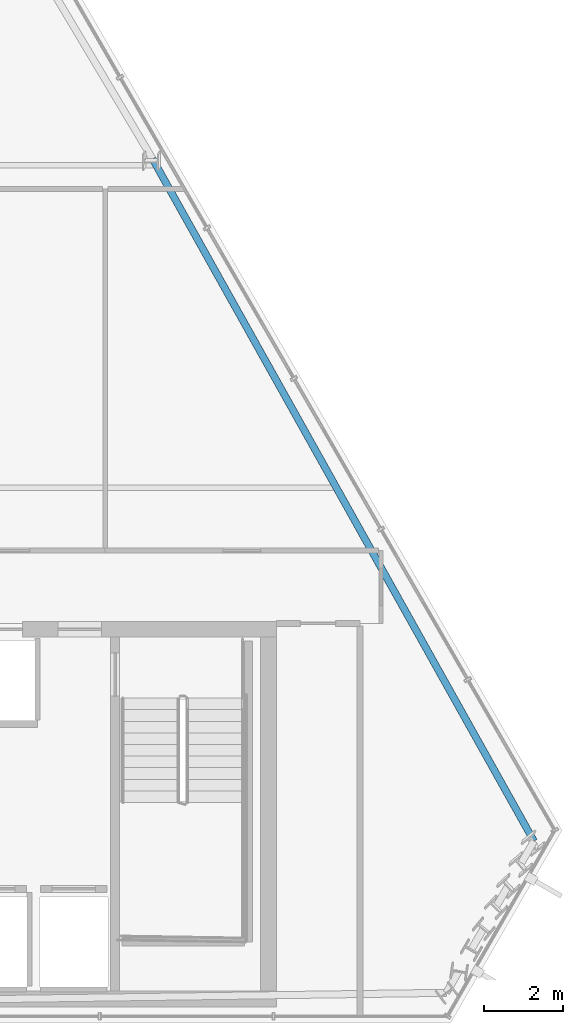
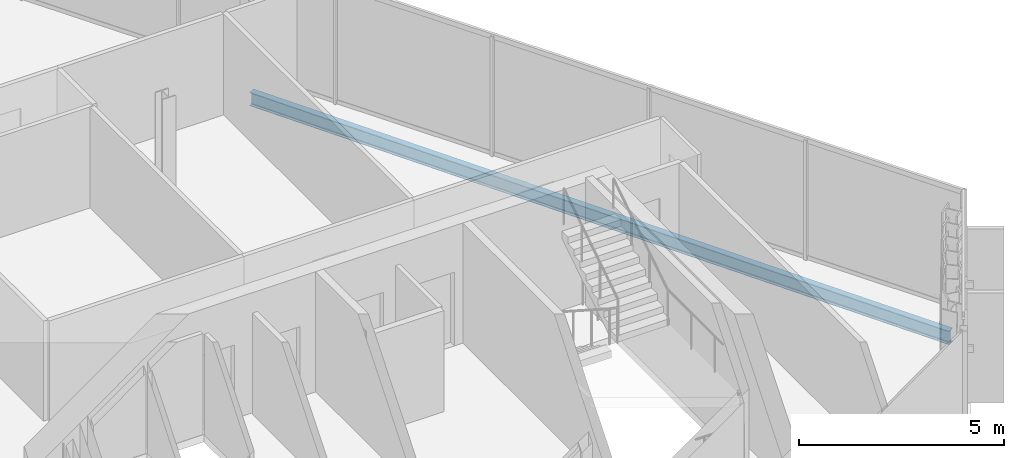
# One storey, part 23 of 34: 1 beam.
"""IFC4 building model written with IfcOpenShell, lengths in metres."""

import ifcopenshell
import ifcopenshell.guid

model = None  # the IFC model being written
_history = None  # IfcOwnerHistory: only IFC2X3 demands one
_inside = {}  # id of a spatial element -> (the spatial element, [elements in it])
_under = {}  # id of a project, library or spatial element -> (it, [spatial elements below it])
_declared = {}  # id of a project -> (the project, [libraries it declares])
_typed = {}  # id of a type object -> (the type object, [elements of that type])
_made_of = {}  # id of a material, layer set ... -> (it, [elements and type objects made of it])


def new_model(schema):
    """Start an empty IFC model of exactly this schema.

    Asked for "IFC4X3", IfcOpenShell would pick the latest addendum, in which some entities
    have other attributes; the version numbers below select the first issue.
    IFC2X3 requires an IfcOwnerHistory on every rooted entity: one is made here for all.
    """
    global model, _history
    if schema == "IFC4X3":
        model = ifcopenshell.file(schema_version=(4, 3, 0, 0))
    else:
        model = ifcopenshell.file(schema=schema)
    _inside.clear()
    _under.clear()
    _declared.clear()
    _typed.clear()
    _made_of.clear()
    _history = None
    if model.schema == "IFC2X3":
        org = make("IfcOrganization", Name="unknown")
        user = make(
            "IfcPersonAndOrganization",
            ThePerson=make("IfcPerson", FamilyName="unknown"),
            TheOrganization=org,
        )
        app = make(
            "IfcApplication",
            ApplicationDeveloper=org,
            Version="unknown",
            ApplicationFullName="unknown",
            ApplicationIdentifier="unknown",
        )
        _history = make(
            "IfcOwnerHistory",
            OwningUser=user,
            OwningApplication=app,
            ChangeAction="ADDED",
            CreationDate=0,
        )
    return model


def make(cls, **values):
    """One entity of the class cls with the attributes given. An attribute that is None is left unset."""
    return model.create_entity(
        cls, **{name: value for name, value in values.items() if value is not None}
    )


def rooted(cls, **values):
    """An entity with a GlobalId (a new one), such as an element, a storey or a relation."""
    return make(cls, GlobalId=ifcopenshell.guid.new(), OwnerHistory=_history, **values)


def si_unit(unit_type, name, prefix=None):
    """IfcSIUnit, for example si_unit("LENGTHUNIT", "METRE", prefix="MILLI")."""
    return make("IfcSIUnit", UnitType=unit_type, Prefix=prefix, Name=name)


def assignment(units):
    """IfcUnitAssignment: the units of a project."""
    return None if units is None else make("IfcUnitAssignment", Units=units)


def point(xyz):
    """IfcCartesianPoint."""
    return None if xyz is None else make("IfcCartesianPoint", Coordinates=xyz)


def direction(xyz):
    """IfcDirection."""
    return None if xyz is None else make("IfcDirection", DirectionRatios=xyz)


def frame(location, z_axis=None, x_axis=None):
    """IfcAxis2Placement3D, a coordinate frame: its origin and axes. An axis left out is left unset."""
    return make(
        "IfcAxis2Placement3D",
        Location=point(location),
        Axis=direction(z_axis),
        RefDirection=direction(x_axis),
    )


def frame_2d(location, x_axis=None):
    """IfcAxis2Placement2D, a coordinate frame in the plane: its origin and x axis."""
    return make(
        "IfcAxis2Placement2D", Location=point(location), RefDirection=direction(x_axis)
    )


def origin():
    """The frame at (0, 0, 0) with its axes left unset."""
    return frame((0.0, 0.0, 0.0))


def origin_2d():
    """The frame at (0, 0) in the plane with its x axis left unset."""
    return frame_2d((0.0, 0.0))


def place(relative_to, where):
    """IfcLocalPlacement: puts the frame where relative to a parent placement (None: the world)."""
    return make(
        "IfcLocalPlacement", PlacementRelTo=relative_to, RelativePlacement=where
    )


def context(
    kind, dimensions, precision=None, world=None, true_north=None, identifier=None
):
    """IfcGeometricRepresentationContext, for example the 3D "Model" context."""
    return make(
        "IfcGeometricRepresentationContext",
        ContextIdentifier=identifier,
        ContextType=kind,
        CoordinateSpaceDimension=dimensions,
        Precision=precision,
        WorldCoordinateSystem=world,
        TrueNorth=true_north,
    )


def subcontext(parent, identifier, kind, view, scale=None):
    """IfcGeometricRepresentationSubContext, for example "Body" below "Model"."""
    return make(
        "IfcGeometricRepresentationSubContext",
        ContextIdentifier=identifier,
        ContextType=kind,
        ParentContext=parent,
        TargetScale=scale,
        TargetView=view,
    )


def project(units=None, contexts=None):
    """IfcProject with its units and contexts."""
    return rooted(
        "IfcProject",
        Name="project",
        RepresentationContexts=contexts,
        UnitsInContext=assignment(units),
    )


def spatial(cls, under=None, at=None, **own):
    """A site, building, storey or space (cls), placed at a placement, below another one or the project."""
    s = rooted(cls, ObjectPlacement=at, **own)
    if under is not None:
        _under.setdefault(under.id(), (under, []))[1].append(s)
    return s


def profile(cls, at=None, kind="AREA", **sizes):
    """A parametric profile (cls). Its sizes go by their IFC names, for example OverallWidth=200.0."""
    return make(cls, ProfileType=kind, Position=at, **sizes)


def i_section(**sizes):
    """IfcIShapeProfileDef."""
    return profile("IfcIShapeProfileDef", **sizes)


def extrude(swept, where, along, depth):
    """IfcExtrudedAreaSolid: the profile swept, set in the frame where, extruded along a direction by depth."""
    return make(
        "IfcExtrudedAreaSolid",
        SweptArea=swept,
        Position=where,
        ExtrudedDirection=direction(along),
        Depth=depth,
    )


def shape(context_of_items, identifier, shape_type, items):
    """IfcShapeRepresentation: the items that make up one representation, for example the "Body"."""
    return make(
        "IfcShapeRepresentation",
        ContextOfItems=context_of_items,
        RepresentationIdentifier=identifier,
        RepresentationType=shape_type,
        Items=items,
    )


def material(Name=None, Category=None):
    """IfcMaterial."""
    return make("IfcMaterial", Name=Name, Category=Category)


def material_profile(
    of_material, cross_section, Name=None, Category=None, Priority=None
):
    """IfcMaterialProfile: a cross section and its material."""
    return make(
        "IfcMaterialProfile",
        Name=Name,
        Material=of_material,
        Profile=cross_section,
        Priority=Priority,
        Category=Category,
    )


def profile_set(profiles, Name=None, composite=None):
    """IfcMaterialProfileSet."""
    return make(
        "IfcMaterialProfileSet",
        Name=Name,
        MaterialProfiles=profiles,
        CompositeProfile=composite,
    )


def made_of(thing, what):
    """Note that an element or type object is made of a material, layer set ...; save() writes the relation."""
    if what is not None:
        _made_of.setdefault(what.id(), (what, []))[1].append(thing)
    return thing


def type_object(cls, material=None, **own):
    """A type object (cls), such as IfcWallType, which elements share."""
    return made_of(rooted(cls, **own), material)


def element(
    cls,
    number,
    at=None,
    inside=None,
    cuts=None,
    type_object=None,
    material=None,
    context=None,
    identifier="Body",
    shape_type=None,
    held_by="IfcProductDefinitionShape",
    body=None,
    shapes=None,
    **own,
):
    """One element of the class cls, such as IfcWall. Its Tag is "e" and its number.

    at: its placement. inside: the storey or other place that contains it. cuts: it is an
    opening in that element (IfcRelVoidsElement). A single representation is given by context,
    identifier, shape_type and body (its items); several are given by shapes. held_by: the class
    of the entity that holds the representations. save() writes the other relations.
    """
    e = rooted(cls, Tag="e%d" % number, ObjectPlacement=at, **own)
    if body is not None:
        shapes = [shape(context, identifier, shape_type, body)]
    if shapes is not None:
        e.Representation = make(held_by, Representations=shapes)
    if inside is not None:
        _inside.setdefault(inside.id(), (inside, []))[1].append(e)
    if cuts is not None:
        rooted(
            "IfcRelVoidsElement", RelatingBuildingElement=cuts, RelatedOpeningElement=e
        )
    if type_object is not None:
        _typed.setdefault(type_object.id(), (type_object, []))[1].append(e)
    return made_of(e, material)


def aggregate(whole, parts):
    """IfcRelAggregates: a whole, such as a stair, and the parts it consists of."""
    return rooted("IfcRelAggregates", RelatingObject=whole, RelatedObjects=parts)


def save(model, path):
    """Write the relations noted so far, then the file.

    IfcRelAggregates (storeys below a building ...), IfcRelContainedInSpatialStructure (elements
    in a storey), IfcRelDefinesByType, IfcRelAssociatesMaterial and IfcRelDeclares: one each for
    every whole, place, type object, material and project.
    """
    for whole, parts in _under.values():
        aggregate(whole, parts)
    for where, things in _inside.values():
        rooted(
            "IfcRelContainedInSpatialStructure",
            RelatedElements=things,
            RelatingStructure=where,
        )
    for kind, things in _typed.values():
        rooted("IfcRelDefinesByType", RelatedObjects=things, RelatingType=kind)
    for what, things in _made_of.values():
        rooted("IfcRelAssociatesMaterial", RelatedObjects=things, RelatingMaterial=what)
    for by, libraries in _declared.values():
        rooted("IfcRelDeclares", RelatingContext=by, RelatedDefinitions=libraries)
    model.write(path)


model = new_model("IFC4")

# Units and contexts
model_context = context("Model", 3, precision=1e-05, world=origin(), true_north=direction((0.0, 1.0)))
body_context = subcontext(model_context, "Body", "Model", "MODEL_VIEW")
ifc_project = project(units=[si_unit("LENGTHUNIT", "METRE"), si_unit("AREAUNIT", "SQUARE_METRE"), si_unit("VOLUMEUNIT", "CUBIC_METRE"), si_unit("PLANEANGLEUNIT", "RADIAN"), si_unit("MASSUNIT", "GRAM", prefix="KILO")], contexts=[model_context])

# Site, building, storey
site_placement = place(None, origin())
site = spatial("IfcSite", under=ifc_project, at=site_placement, CompositionType="ELEMENT")
building_placement = place(site_placement, origin())
building = spatial("IfcBuilding", under=site, at=building_placement, Name="Ndaravel Arena Tower", CompositionType="ELEMENT")
storey_placement = place(building_placement, frame((0.0, 0.0, 267.39990234375)))
storey = spatial("IfcBuildingStorey", under=building, at=storey_placement, Name="L65", CompositionType="ELEMENT", Elevation=267.39990234375)

# Beam
ifc_material = material(Name="Steel S355", Category="steel")
ifc_material_profile = material_profile(ifc_material, i_section(OverallWidth=0.179931640625, OverallDepth=0.39990234375, WebThickness=0.008544921875, FlangeThickness=0.013427734375, FilletRadius=0.02099609375, at=origin_2d()), Name="IPE 400")
ifc_profile_set = profile_set([ifc_material_profile], Name="Steel S355")
beam_type = type_object("IfcBeamType", Name="BM-SPAN-IPE400", PredefinedType="SPANDREL", material=ifc_profile_set)
beam_placement = place(storey_placement, frame((64.1025390625, 9.61328125, -0.419921875), z_axis=(-0.48794385324, 0.872875017449, 0.0), x_axis=(-0.872875017449, -0.48794385324, 0.0)))
element("IfcBeam", 1, at=beam_placement, inside=storey, type_object=beam_type, Name="L65 Perimeter Spandrel Beam SP-09", PredefinedType="SPANDREL", context=body_context, shape_type="SweptSolid", body=[
    extrude(i_section(OverallWidth=0.179931640625, OverallDepth=0.39990234375, WebThickness=0.008544921875, FlangeThickness=0.013427734375, FilletRadius=0.02099609375, at=origin_2d()), origin(), (0.0, 0.0, 1.0), 19.877197265625),
])

save(model, "model.ifc")
